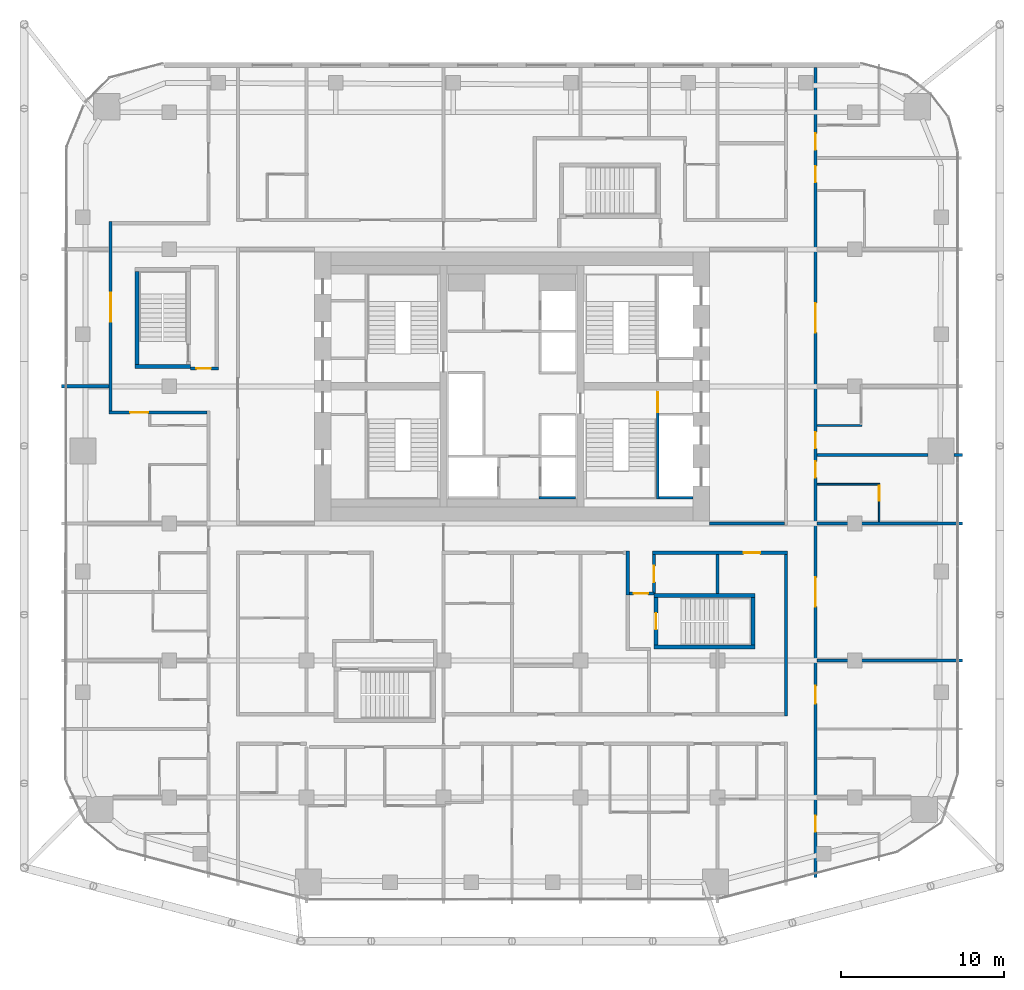
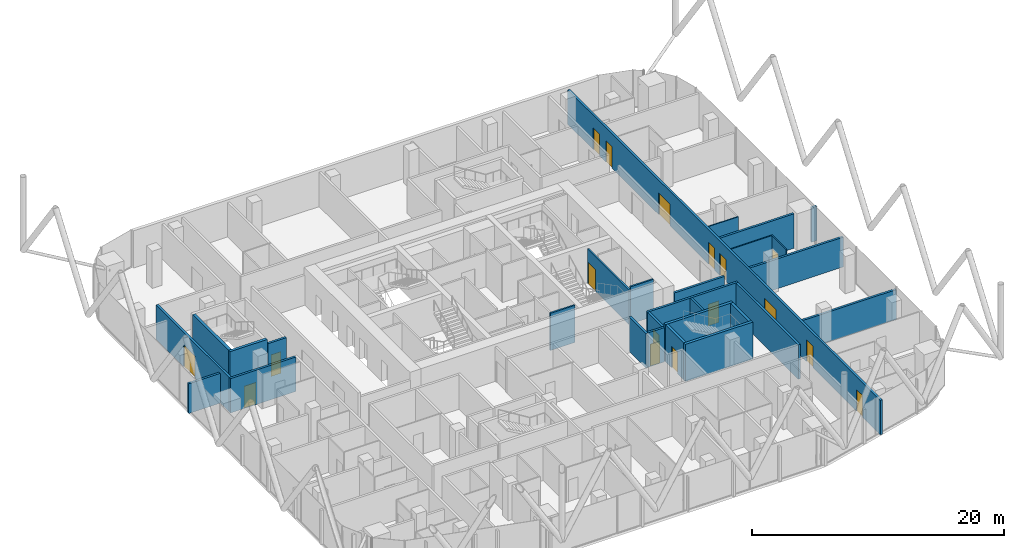
# One storey, part 27 of 33: 28 walls, 17 doors, 17 openings.
"""IFC4 building model written with IfcOpenShell, lengths in metres."""

from ifc_helpers import new_model, si_unit, direction, frame, frame_2d, origin, place, context, subcontext, project, spatial, rectangle, extrude, material, layer, layer_set, type_object, element, fill, save


model = new_model("IFC4")

# Units and contexts
model_context = context("Model", 3, precision=1e-05, world=origin(), true_north=direction((0.0, 1.0)))
body_context = subcontext(model_context, "Body", "Model", "MODEL_VIEW")
ifc_project = project(units=[si_unit("LENGTHUNIT", "METRE"), si_unit("AREAUNIT", "SQUARE_METRE"), si_unit("VOLUMEUNIT", "CUBIC_METRE"), si_unit("PLANEANGLEUNIT", "RADIAN"), si_unit("MASSUNIT", "GRAM", prefix="KILO")], contexts=[model_context])

# Site, building, storey
site_placement = place(None, origin())
site = spatial("IfcSite", under=ifc_project, at=site_placement, CompositionType="ELEMENT")
building_placement = place(site_placement, origin())
building = spatial("IfcBuilding", under=site, at=building_placement, Name="Marenta Gate Hotel Tower", CompositionType="ELEMENT")
storey_placement = place(building_placement, frame((0.0, 0.0, 151.699951171875)))
storey = spatial("IfcBuildingStorey", under=building, at=storey_placement, Name="L35", CompositionType="ELEMENT", Elevation=151.699951171875)

# Walls
ifc_material_1 = material(Name="Concrete blockwork", Category="masonry")
ifc_layer_1 = layer(ifc_material_1, 0.199951171875)
ifc_layer_set_1 = layer_set([ifc_layer_1], Name="Concrete blockwork")
wall_type_1 = type_object("IfcWallType", Name="Core boundary wall 200 REI 180", PredefinedType="PARTITIONING", material=ifc_layer_set_1)
wall_1_placement = place(storey_placement, frame((12.10009765625, 0.0, 0.0), z_axis=(0.0, 0.0, 1.0), x_axis=(1.0, 0.0, 0.0)))
element("IfcWall", 1, at=wall_1_placement, inside=storey, type_object=wall_type_1, Name="L35-CP-EW-ES", PredefinedType="PARTITIONING", context=body_context, shape_type="SweptSolid", body=[
    extrude(rectangle(XDim=4.599853515625, YDim=0.199951171875, at=frame_2d((2.2998046875, 0.0))), origin(), (0.0, 0.0, 1.0), 2.89013671875),
])
ifc_material_2 = material(Name="Concrete C40", Category="concrete")
ifc_layer_2 = layer(ifc_material_2, 0.14990234375)
ifc_layer_set_2 = layer_set([ifc_layer_2], Name="Concrete C40")
wall_type_2 = type_object("IfcWallType", Name="Core shaft wall 150 REI 180", PredefinedType="SHEAR", material=ifc_layer_set_2)
wall_2_placement = place(storey_placement, frame((9.0, 1.574951171875, 0.0), z_axis=(0.0, 0.0, 1.0), x_axis=(1.0, 0.0, 0.0)))
element("IfcWall", 2, at=wall_2_placement, inside=storey, type_object=wall_type_2, Name="L35-SHF-SW-ES-5", PredefinedType="SHEAR", context=body_context, shape_type="SweptSolid", body=[
    extrude(rectangle(XDim=2.10009765625, YDim=0.14990234375, at=frame_2d((1.050048828125, 0.0))), origin(), (0.0, 0.0, 1.0), 3.60009765625),
])
wall_3_placement = place(storey_placement, frame((1.64990234375, 1.574951171875, 0.0), z_axis=(0.0, 0.0, 1.0), x_axis=(1.0, 0.0, 0.0)))
element("IfcWall", 3, at=wall_3_placement, inside=storey, type_object=wall_type_2, Name="L35-SHF-CE-S-bot", PredefinedType="SHEAR", context=body_context, shape_type="SweptSolid", body=[
    extrude(rectangle(XDim=2.25, YDim=0.14990234375, at=frame_2d((1.125, 0.0))), origin(), (0.0, 0.0, 1.0), 3.60009765625),
])

# Wall, opening, door
ifc_material_3 = material(Name="Concrete C40", Category="concrete")
ifc_layer_3 = layer(ifc_material_3, 0.14990234375)
ifc_layer_set_3 = layer_set([ifc_layer_3], Name="Concrete C40")
wall_type_3 = type_object("IfcWallType", Name="Core stair enclosure wall 150 REI 180", PredefinedType="SHEAR", material=ifc_layer_set_3)
wall_4_placement = place(storey_placement, frame((8.925048828125, 1.5, 0.0), z_axis=(0.0, 0.0, 1.0), x_axis=(0.0, 1.0, 0.0)))
wall_4 = element("IfcWall", 4, at=wall_4_placement, inside=storey, type_object=wall_type_3, Name="L35-SHF-SW-ES-3", PredefinedType="SHEAR", context=body_context, shape_type="SweptSolid", body=[
    extrude(rectangle(XDim=6.60009765625, YDim=0.14990234375, at=frame_2d((3.300048828125, 0.0))), origin(), (0.0, 0.0, 1.0), 3.340087890625),
])
opening_1_placement = place(wall_4_placement, frame((5.324951171875, 0.0, 0.0)))
opening_1 = element("IfcOpeningElement", 5, at=opening_1_placement, cuts=wall_4, Name="Opening SD-ES", PredefinedType="OPENING", context=body_context, shape_type="SweptSolid", body=[
    extrude(rectangle(XDim=1.199951171875, YDim=2.10009765625, at=frame_2d((0.60009765625, 1.050048828125))), frame((0.0, 0.074951171875, 0.0), z_axis=(0.0, -1.0, 0.0), x_axis=(1.0, 0.0, 0.0)), (0.0, 0.0, 1.0), 0.14990234375),
])
ifc_material_4 = material(Name="Steel", Category="steel")
door_type_1 = type_object("IfcDoorType", Name="Core stair door 1200x2100 FD60", OperationType="SINGLE_SWING_LEFT", PredefinedType="DOOR", material=ifc_material_4)
door_1_placement = place(opening_1_placement, origin())
door_1 = element("IfcDoor", 6, at=door_1_placement, inside=storey, type_object=door_type_1, Name="SD-ES", OperationType="SINGLE_SWING_LEFT", OverallHeight=2.10009765625, OverallWidth=1.199951171875, PredefinedType="DOOR", context=body_context, shape_type="SweptSolid", body=[
    extrude(rectangle(XDim=1.199951171875, YDim=2.10009765625, at=frame_2d((0.60009765625, 1.050048828125))), frame((0.0, 0.02490234375, 0.0), z_axis=(0.0, -1.0, 0.0), x_axis=(1.0, 0.0, 0.0)), (0.0, 0.0, 1.0), 0.050048828125),
])
fill(opening_1, door_1)

# Walls
ifc_material_5 = material(Name="Concrete C40", Category="concrete")
ifc_layer_4 = layer(ifc_material_5, 0.25)
ifc_layer_set_4 = layer_set([ifc_layer_4], Name="Concrete C40")
wall_type_4 = type_object("IfcWallType", Name="Remote stair enclosure wall 250 REI 180", PredefinedType="SHEAR", material=ifc_layer_set_4)
wall_5_placement = place(storey_placement, frame((-23.10009765625, 9.625, 0.10009765625), z_axis=(0.0, 0.0, 1.0), x_axis=(1.0, 0.0, 0.0)))
element("IfcWall", 7, at=wall_5_placement, inside=storey, type_object=wall_type_4, Name="L35-RS-Z1-3-W1", PredefinedType="SHEAR", context=body_context, shape_type="SweptSolid", body=[
    extrude(rectangle(XDim=3.400146484375, YDim=0.25, at=frame_2d((1.7001953125, 0.0))), origin(), (0.0, 0.0, 1.0), 3.599853515625),
])
wall_6_placement = place(storey_placement, frame((-22.97509765625, 9.75, 0.10009765625), z_axis=(0.0, 0.0, 1.0), x_axis=(0.0, 1.0, 0.0)))
element("IfcWall", 8, at=wall_6_placement, inside=storey, type_object=wall_type_4, Name="L35-RS-Z1-3-W3", PredefinedType="SHEAR", context=body_context, shape_type="SweptSolid", body=[
    extrude(rectangle(XDim=5.699951171875, YDim=0.25, at=frame_2d((2.85009765625, 0.0))), origin(), (0.0, 0.0, 1.0), 3.599853515625),
])
for number, where, z_axis, x_axis, name in (
    (9, (8.699951171875, -7.574951171875, 0.10009765625), (0.0, 0.0, 1.0), (1.0, 0.0, 0.0), "L35-RS-Z2-2-W1"),
    (10, (8.699951171875, -4.425048828125, 0.10009765625), (0.0, 0.0, 1.0), (1.0, 0.0, 0.0), "L35-RS-Z2-2-W2"),
):
    element("IfcWall", number, at=place(storey_placement, frame(where, z_axis=z_axis, x_axis=x_axis)), inside=storey, type_object=wall_type_4, Name=name, PredefinedType="SHEAR", context=body_context, shape_type="SweptSolid", body=[
        extrude(rectangle(XDim=6.199951171875, YDim=0.25, at=frame_2d((3.10009765625, 0.0))), origin(), (0.0, 0.0, 1.0), 3.599853515625),
    ])

# Wall, opening, door
wall_7_placement = place(storey_placement, frame((8.824951171875, -7.449951171875, 0.10009765625), z_axis=(0.0, 0.0, 1.0), x_axis=(0.0, 1.0, 0.0)))
wall_7 = element("IfcWall", 11, at=wall_7_placement, inside=storey, type_object=wall_type_4, Name="L35-RS-Z2-2-W3", PredefinedType="SHEAR", context=body_context, shape_type="SweptSolid", body=[
    extrude(rectangle(XDim=2.89990234375, YDim=0.25, at=frame_2d((1.449951171875, 0.0))), origin(), (0.0, 0.0, 1.0), 3.599853515625),
])
opening_2_placement = place(wall_7_placement, frame((0.949951171875, 0.0, 0.0)))
opening_2 = element("IfcOpeningElement", 12, at=opening_2_placement, cuts=wall_7, Name="Opening VD", PredefinedType="OPENING", context=body_context, shape_type="SweptSolid", body=[
    extrude(rectangle(XDim=1.0, YDim=2.10009765625, at=frame_2d((0.5, 1.050048828125))), frame((0.0, 0.125, 0.0), z_axis=(0.0, -1.0, 0.0), x_axis=(1.0, 0.0, 0.0)), (0.0, 0.0, 1.0), 0.25),
])
ifc_material_6 = material(Name="Steel", Category="steel")
door_type_2 = type_object("IfcDoorType", Name="Stair vestibule door 1000x2100 FD60", OperationType="SINGLE_SWING_LEFT", PredefinedType="DOOR", material=ifc_material_6)
door_2_placement = place(opening_2_placement, origin())
door_2 = element("IfcDoor", 13, at=door_2_placement, inside=storey, type_object=door_type_2, Name="VD", OperationType="SINGLE_SWING_LEFT", OverallHeight=2.10009765625, OverallWidth=1.0, PredefinedType="DOOR", context=body_context, shape_type="SweptSolid", body=[
    extrude(rectangle(XDim=1.0, YDim=2.10009765625, at=frame_2d((0.5, 1.050048828125))), frame((0.0, 0.02490234375, 0.0), z_axis=(0.0, -1.0, 0.0), x_axis=(1.0, 0.0, 0.0)), (0.0, 0.0, 1.0), 0.050048828125),
])
fill(opening_2, door_2)

# Wall
wall_8_placement = place(storey_placement, frame((14.77490234375, -7.449951171875, 0.10009765625), z_axis=(0.0, 0.0, 1.0), x_axis=(0.0, 1.0, 0.0)))
element("IfcWall", 14, at=wall_8_placement, inside=storey, type_object=wall_type_4, Name="L35-RS-Z2-2-W4", PredefinedType="SHEAR", context=body_context, shape_type="SweptSolid", body=[
    extrude(rectangle(XDim=2.89990234375, YDim=0.25, at=frame_2d((1.449951171875, 0.0))), origin(), (0.0, 0.0, 1.0), 3.599853515625),
])

# Wall, openings, doors
ifc_material_7 = material(Name="Gypsum board on steel stud", Category="steel")
ifc_layer_5 = layer(ifc_material_7, 0.199951171875)
ifc_layer_set_5 = layer_set([ifc_layer_5], Name="Gypsum board on steel stud")
wall_type_5 = type_object("IfcWallType", Name="Room corridor wall 200 EI 60", PredefinedType="PARTITIONING", material=ifc_layer_set_5)
wall_9_placement = place(storey_placement, frame((18.60009765625, -21.7080078125, 0.0), z_axis=(0.0, 0.0, 1.0), x_axis=(0.0, 1.0, 0.0)))
wall_9 = element("IfcWall", 15, at=wall_9_placement, inside=storey, type_object=wall_type_5, Name="L35-PTN-W009", PredefinedType="PARTITIONING", context=body_context, shape_type="SweptSolid", body=[
    extrude(rectangle(XDim=49.64794921875, YDim=0.199951171875, at=frame_2d((24.823974609375, 0.0))), origin(), (0.0, 0.0, 1.0), 3.340087890625),
])
opening_3_placement = place(wall_9_placement, frame((2.800048828125, 0.0, 0.0)))
opening_3 = element("IfcOpeningElement", 16, at=opening_3_placement, cuts=wall_9, Name="Opening G13-08", PredefinedType="OPENING", context=body_context, shape_type="SweptSolid", body=[
    extrude(rectangle(XDim=1.0, YDim=2.10009765625, at=frame_2d((0.5, 1.050048828125))), frame((0.0, 0.10009765625, 0.0), z_axis=(0.0, -1.0, 0.0), x_axis=(1.0, 0.0, 0.0)), (0.0, 0.0, 1.0), 0.199951171875),
])
opening_4_placement = place(wall_9_placement, frame((10.657958984375, 0.0, 0.0)))
opening_4 = element("IfcOpeningElement", 17, at=opening_4_placement, cuts=wall_9, Name="Opening G13-10", PredefinedType="OPENING", context=body_context, shape_type="SweptSolid", body=[
    extrude(rectangle(XDim=1.10009765625, YDim=2.10009765625, at=frame_2d((0.550048828125, 1.050048828125))), frame((0.0, 0.10009765625, 0.0), z_axis=(0.0, -1.0, 0.0), x_axis=(1.0, 0.0, 0.0)), (0.0, 0.0, 1.0), 0.199951171875),
])
opening_5_placement = place(wall_9_placement, frame((16.60791015625, 0.0, 0.0)))
opening_5 = element("IfcOpeningElement", 18, at=opening_5_placement, cuts=wall_9, Name="Opening G13-13", PredefinedType="OPENING", context=body_context, shape_type="SweptSolid", body=[
    extrude(rectangle(XDim=1.800048828125, YDim=2.10009765625, at=frame_2d((0.89990234375, 1.050048828125))), frame((0.0, 0.10009765625, 0.0), z_axis=(0.0, -1.0, 0.0), x_axis=(1.0, 0.0, 0.0)), (0.0, 0.0, 1.0), 0.199951171875),
])
opening_6_placement = place(wall_9_placement, frame((24.508056640625, 0.0, 0.0)))
opening_6 = element("IfcOpeningElement", 19, at=opening_6_placement, cuts=wall_9, Name="Opening G13-14", PredefinedType="OPENING", context=body_context, shape_type="SweptSolid", body=[
    extrude(rectangle(XDim=1.0, YDim=2.10009765625, at=frame_2d((0.5, 1.050048828125))), frame((0.0, 0.10009765625, 0.0), z_axis=(0.0, -1.0, 0.0), x_axis=(1.0, 0.0, 0.0)), (0.0, 0.0, 1.0), 0.199951171875),
])
opening_7_placement = place(wall_9_placement, frame((26.30810546875, 0.0, 0.0)))
opening_7 = element("IfcOpeningElement", 20, at=opening_7_placement, cuts=wall_9, Name="Opening G13-16", PredefinedType="OPENING", context=body_context, shape_type="SweptSolid", body=[
    extrude(rectangle(XDim=1.0, YDim=2.10009765625, at=frame_2d((0.5, 1.050048828125))), frame((0.0, 0.10009765625, 0.0), z_axis=(0.0, -1.0, 0.0), x_axis=(1.0, 0.0, 0.0)), (0.0, 0.0, 1.0), 0.199951171875),
])
opening_8_placement = place(wall_9_placement, frame((33.407958984375, 0.0, 0.0)))
opening_8 = element("IfcOpeningElement", 21, at=opening_8_placement, cuts=wall_9, Name="Opening G13-18", PredefinedType="OPENING", context=body_context, shape_type="SweptSolid", body=[
    extrude(rectangle(XDim=1.800048828125, YDim=2.10009765625, at=frame_2d((0.89990234375, 1.050048828125))), frame((0.0, 0.10009765625, 0.0), z_axis=(0.0, -1.0, 0.0), x_axis=(1.0, 0.0, 0.0)), (0.0, 0.0, 1.0), 0.199951171875),
])
opening_9_placement = place(wall_9_placement, frame((42.60791015625, 0.0, 0.0)))
opening_9 = element("IfcOpeningElement", 22, at=opening_9_placement, cuts=wall_9, Name="Opening G13-19", PredefinedType="OPENING", context=body_context, shape_type="SweptSolid", body=[
    extrude(rectangle(XDim=1.0, YDim=2.10009765625, at=frame_2d((0.5, 1.050048828125))), frame((0.0, 0.10009765625, 0.0), z_axis=(0.0, -1.0, 0.0), x_axis=(1.0, 0.0, 0.0)), (0.0, 0.0, 1.0), 0.199951171875),
])
opening_10_placement = place(wall_9_placement, frame((44.60791015625, 0.0, 0.0)))
opening_10 = element("IfcOpeningElement", 23, at=opening_10_placement, cuts=wall_9, Name="Opening G13-21", PredefinedType="OPENING", context=body_context, shape_type="SweptSolid", body=[
    extrude(rectangle(XDim=1.0, YDim=2.10009765625, at=frame_2d((0.5, 1.050048828125))), frame((0.0, 0.10009765625, 0.0), z_axis=(0.0, -1.0, 0.0), x_axis=(1.0, 0.0, 0.0)), (0.0, 0.0, 1.0), 0.199951171875),
])
ifc_material_8 = material(Name="Timber door leaf", Category="wood")
door_type_3 = type_object("IfcDoorType", Name="Guest room door 1000x2100 EI 30", OperationType="NOTDEFINED", PredefinedType="DOOR", material=ifc_material_8)
door_3_placement = place(opening_3_placement, origin())
door_3 = element("IfcDoor", 24, at=door_3_placement, inside=storey, type_object=door_type_3, Name="L35-PD-D008", OperationType="SINGLE_SWING_RIGHT", OverallHeight=2.10009765625, OverallWidth=1.0, PredefinedType="DOOR", context=body_context, shape_type="SweptSolid", body=[
    extrude(rectangle(XDim=1.0, YDim=2.10009765625, at=frame_2d((0.5, 1.050048828125))), frame((0.0, 0.02490234375, 0.0), z_axis=(0.0, -1.0, 0.0), x_axis=(1.0, 0.0, 0.0)), (0.0, 0.0, 1.0), 0.050048828125),
])
fill(opening_3, door_3)
door_4_placement = place(opening_6_placement, origin())
door_4 = element("IfcDoor", 25, at=door_4_placement, inside=storey, type_object=door_type_3, Name="L35-PD-D014", OperationType="SINGLE_SWING_RIGHT", OverallHeight=2.10009765625, OverallWidth=1.0, PredefinedType="DOOR", context=body_context, shape_type="SweptSolid", body=[
    extrude(rectangle(XDim=1.0, YDim=2.10009765625, at=frame_2d((0.5, 1.050048828125))), frame((0.0, 0.02490234375, 0.0), z_axis=(0.0, -1.0, 0.0), x_axis=(1.0, 0.0, 0.0)), (0.0, 0.0, 1.0), 0.050048828125),
])
fill(opening_6, door_4)
door_5_placement = place(opening_7_placement, origin())
door_5 = element("IfcDoor", 26, at=door_5_placement, inside=storey, type_object=door_type_3, Name="L35-PD-D016", OperationType="SINGLE_SWING_RIGHT", OverallHeight=2.10009765625, OverallWidth=1.0, PredefinedType="DOOR", context=body_context, shape_type="SweptSolid", body=[
    extrude(rectangle(XDim=1.0, YDim=2.10009765625, at=frame_2d((0.5, 1.050048828125))), frame((0.0, 0.02490234375, 0.0), z_axis=(0.0, -1.0, 0.0), x_axis=(1.0, 0.0, 0.0)), (0.0, 0.0, 1.0), 0.050048828125),
])
fill(opening_7, door_5)
door_6_placement = place(opening_9_placement, origin())
door_6 = element("IfcDoor", 27, at=door_6_placement, inside=storey, type_object=door_type_3, Name="L35-PD-D019", OperationType="SINGLE_SWING_LEFT", OverallHeight=2.10009765625, OverallWidth=1.0, PredefinedType="DOOR", context=body_context, shape_type="SweptSolid", body=[
    extrude(rectangle(XDim=1.0, YDim=2.10009765625, at=frame_2d((0.5, 1.050048828125))), frame((0.0, 0.02490234375, 0.0), z_axis=(0.0, -1.0, 0.0), x_axis=(1.0, 0.0, 0.0)), (0.0, 0.0, 1.0), 0.050048828125),
])
fill(opening_9, door_6)
door_7_placement = place(opening_10_placement, origin())
door_7 = element("IfcDoor", 28, at=door_7_placement, inside=storey, type_object=door_type_3, Name="L35-PD-D021", OperationType="SINGLE_SWING_LEFT", OverallHeight=2.10009765625, OverallWidth=1.0, PredefinedType="DOOR", context=body_context, shape_type="SweptSolid", body=[
    extrude(rectangle(XDim=1.0, YDim=2.10009765625, at=frame_2d((0.5, 1.050048828125))), frame((0.0, 0.02490234375, 0.0), z_axis=(0.0, -1.0, 0.0), x_axis=(1.0, 0.0, 0.0)), (0.0, 0.0, 1.0), 0.050048828125),
])
fill(opening_10, door_7)
ifc_material_9 = material(Name="Timber door leaf", Category="wood")
door_type_4 = type_object("IfcDoorType", Name="Guest room door 1100x2100 EI 30", OperationType="NOTDEFINED", PredefinedType="DOOR", material=ifc_material_9)
door_8_placement = place(opening_4_placement, origin())
door_8 = element("IfcDoor", 29, at=door_8_placement, inside=storey, type_object=door_type_4, Name="L35-PD-D010", OperationType="SINGLE_SWING_RIGHT", OverallHeight=2.10009765625, OverallWidth=1.10009765625, PredefinedType="DOOR", context=body_context, shape_type="SweptSolid", body=[
    extrude(rectangle(XDim=1.10009765625, YDim=2.10009765625, at=frame_2d((0.550048828125, 1.050048828125))), frame((0.0, 0.02490234375, 0.0), z_axis=(0.0, -1.0, 0.0), x_axis=(1.0, 0.0, 0.0)), (0.0, 0.0, 1.0), 0.050048828125),
])
fill(opening_4, door_8)
ifc_material_10 = material(Name="Timber door leaf", Category="wood")
door_type_5 = type_object("IfcDoorType", Name="Room amenity door 1800x2100 EI 30", OperationType="DOUBLE_DOOR_SINGLE_SWING", PredefinedType="DOOR", material=ifc_material_10)
door_9_placement = place(opening_5_placement, origin())
door_9 = element("IfcDoor", 30, at=door_9_placement, inside=storey, type_object=door_type_5, Name="L35-PD-D013", OperationType="DOUBLE_DOOR_SINGLE_SWING", OverallHeight=2.10009765625, OverallWidth=1.800048828125, PredefinedType="DOOR", context=body_context, shape_type="SweptSolid", body=[
    extrude(rectangle(XDim=1.800048828125, YDim=2.10009765625, at=frame_2d((0.89990234375, 1.050048828125))), frame((0.0, 0.02490234375, 0.0), z_axis=(0.0, -1.0, 0.0), x_axis=(1.0, 0.0, 0.0)), (0.0, 0.0, 1.0), 0.050048828125),
])
fill(opening_5, door_9)
door_10_placement = place(opening_8_placement, origin())
door_10 = element("IfcDoor", 31, at=door_10_placement, inside=storey, type_object=door_type_5, Name="L35-PD-D018", OperationType="DOUBLE_DOOR_SINGLE_SWING", OverallHeight=2.10009765625, OverallWidth=1.800048828125, PredefinedType="DOOR", context=body_context, shape_type="SweptSolid", body=[
    extrude(rectangle(XDim=1.800048828125, YDim=2.10009765625, at=frame_2d((0.89990234375, 1.050048828125))), frame((0.0, 0.02490234375, 0.0), z_axis=(0.0, -1.0, 0.0), x_axis=(1.0, 0.0, 0.0)), (0.0, 0.0, 1.0), 0.050048828125),
])
fill(opening_8, door_10)

# Wall
wall_10_placement = place(storey_placement, frame((16.800048828125, -11.800048828125, 0.0), z_axis=(0.0, 0.0, 1.0), x_axis=(0.0, 1.0, 0.0)))
element("IfcWall", 32, at=wall_10_placement, inside=storey, type_object=wall_type_5, Name="L35-PTN-W016", PredefinedType="PARTITIONING", context=body_context, shape_type="SweptSolid", body=[
    extrude(rectangle(XDim=9.900146484375, YDim=0.199951171875, at=frame_2d((4.9501953125, 0.0))), origin(), (0.0, 0.0, 1.0), 3.340087890625),
])

# Wall, opening, door
wall_11_placement = place(storey_placement, frame((8.699951171875, -4.300048828125, 0.0), z_axis=(0.0, 0.0, 1.0), x_axis=(0.0, 1.0, 0.0)))
wall_11 = element("IfcWall", 33, at=wall_11_placement, inside=storey, type_object=wall_type_5, Name="L35-PTN-W040", PredefinedType="PARTITIONING", context=body_context, shape_type="SweptSolid", body=[
    extrude(rectangle(XDim=2.400146484375, YDim=0.199951171875, at=frame_2d((1.2001953125, 0.0))), origin(), (0.0, 0.0, 1.0), 3.340087890625),
])
opening_11_placement = place(wall_11_placement, frame((0.699951171875, 0.0, 0.0)))
opening_11 = element("IfcOpeningElement", 34, at=opening_11_placement, cuts=wall_11, Name="Opening G13-64", PredefinedType="OPENING", context=body_context, shape_type="SweptSolid", body=[
    extrude(rectangle(XDim=1.0, YDim=2.10009765625, at=frame_2d((0.5, 1.050048828125))), frame((0.0, 0.10009765625, 0.0), z_axis=(0.0, -1.0, 0.0), x_axis=(1.0, 0.0, 0.0)), (0.0, 0.0, 1.0), 0.199951171875),
])
ifc_material_11 = material(Name="Timber door leaf", Category="wood")
door_type_6 = type_object("IfcDoorType", Name="Room amenity door 1000x2100 EI 30", OperationType="NOTDEFINED", PredefinedType="DOOR", material=ifc_material_11)
door_11_placement = place(opening_11_placement, origin())
door_11 = element("IfcDoor", 35, at=door_11_placement, inside=storey, type_object=door_type_6, Name="L35-PD-D064", OperationType="SINGLE_SWING_LEFT", OverallHeight=2.10009765625, OverallWidth=1.0, PredefinedType="DOOR", context=body_context, shape_type="SweptSolid", body=[
    extrude(rectangle(XDim=1.0, YDim=2.10009765625, at=frame_2d((0.5, 1.050048828125))), frame((0.0, 0.02490234375, 0.0), z_axis=(0.0, -1.0, 0.0), x_axis=(1.0, 0.0, 0.0)), (0.0, 0.0, 1.0), 0.050048828125),
])
fill(opening_11, door_11)

# Wall
wall_12_placement = place(storey_placement, frame((7.10009765625, -4.39990234375, 0.0), z_axis=(0.0, 0.0, 1.0), x_axis=(0.0, 1.0, 0.0)))
element("IfcWall", 36, at=wall_12_placement, inside=storey, type_object=wall_type_5, Name="L35-PTN-W050", PredefinedType="PARTITIONING", context=body_context, shape_type="SweptSolid", body=[
    extrude(rectangle(XDim=2.699951171875, YDim=0.199951171875, at=frame_2d((1.35009765625, 0.0))), origin(), (0.0, 0.0, 1.0), 3.340087890625),
])

# Wall, opening, door
wall_13_placement = place(storey_placement, frame((8.60009765625, -1.800048828125, 0.0), z_axis=(0.0, 0.0, 1.0), x_axis=(1.0, 0.0, 0.0)))
wall_13 = element("IfcWall", 37, at=wall_13_placement, inside=storey, type_object=wall_type_5, Name="L35-PTN-W064", PredefinedType="PARTITIONING", context=body_context, shape_type="SweptSolid", body=[
    extrude(rectangle(XDim=8.2998046875, YDim=0.199951171875, at=frame_2d((4.14990234375, 0.0))), origin(), (0.0, 0.0, 1.0), 3.340087890625),
])
opening_12_placement = place(wall_13_placement, frame((5.60009765625, 0.0, 0.0)))
opening_12 = element("IfcOpeningElement", 38, at=opening_12_placement, cuts=wall_13, Name="Opening G13-07", PredefinedType="OPENING", context=body_context, shape_type="SweptSolid", body=[
    extrude(rectangle(XDim=1.0, YDim=2.10009765625, at=frame_2d((0.5, 1.050048828125))), frame((0.0, 0.10009765625, 0.0), z_axis=(0.0, -1.0, 0.0), x_axis=(1.0, 0.0, 0.0)), (0.0, 0.0, 1.0), 0.199951171875),
])
door_12_placement = place(opening_12_placement, origin())
door_12 = element("IfcDoor", 39, at=door_12_placement, inside=storey, type_object=door_type_6, Name="L35-PD-D007", OperationType="SINGLE_SWING_LEFT", OverallHeight=2.10009765625, OverallWidth=1.0, PredefinedType="DOOR", context=body_context, shape_type="SweptSolid", body=[
    extrude(rectangle(XDim=1.0, YDim=2.10009765625, at=frame_2d((0.5, 1.050048828125))), frame((0.0, 0.02490234375, 0.0), z_axis=(0.0, -1.0, 0.0), x_axis=(1.0, 0.0, 0.0)), (0.0, 0.0, 1.0), 0.050048828125),
])
fill(opening_12, door_12)

wall_14_placement = place(storey_placement, frame((-24.699951171875, 6.800048828125, 0.0), z_axis=(0.0, 0.0, 1.0), x_axis=(1.0, 0.0, 0.0)))
wall_14 = element("IfcWall", 40, at=wall_14_placement, inside=storey, type_object=wall_type_5, Name="L35-PTN-W080", PredefinedType="PARTITIONING", context=body_context, shape_type="SweptSolid", body=[
    extrude(rectangle(XDim=6.0, YDim=0.199951171875, at=frame_2d((3.0, 0.0))), origin(), (0.0, 0.0, 1.0), 3.340087890625),
])
opening_13_placement = place(wall_14_placement, frame((1.300048828125, 0.0, 0.0)))
opening_13 = element("IfcOpeningElement", 41, at=opening_13_placement, cuts=wall_14, Name="Opening G13-53", PredefinedType="OPENING", context=body_context, shape_type="SweptSolid", body=[
    extrude(rectangle(XDim=1.10009765625, YDim=2.10009765625, at=frame_2d((0.550048828125, 1.050048828125))), frame((0.0, 0.10009765625, 0.0), z_axis=(0.0, -1.0, 0.0), x_axis=(1.0, 0.0, 0.0)), (0.0, 0.0, 1.0), 0.199951171875),
])
door_13_placement = place(opening_13_placement, origin())
door_13 = element("IfcDoor", 42, at=door_13_placement, inside=storey, type_object=door_type_4, Name="L35-PD-D053", OperationType="SINGLE_SWING_LEFT", OverallHeight=2.10009765625, OverallWidth=1.10009765625, PredefinedType="DOOR", context=body_context, shape_type="SweptSolid", body=[
    extrude(rectangle(XDim=1.10009765625, YDim=2.10009765625, at=frame_2d((0.550048828125, 1.050048828125))), frame((0.0, 0.02490234375, 0.0), z_axis=(0.0, -1.0, 0.0), x_axis=(1.0, 0.0, 0.0)), (0.0, 0.0, 1.0), 0.050048828125),
])
fill(opening_13, door_13)

wall_15_placement = place(storey_placement, frame((-24.60009765625, 6.89990234375, 0.0), z_axis=(0.0, 0.0, 1.0), x_axis=(0.0, 1.0, 0.0)))
wall_15 = element("IfcWall", 43, at=wall_15_placement, inside=storey, type_object=wall_type_5, Name="L35-PTN-W119", PredefinedType="PARTITIONING", context=body_context, shape_type="SweptSolid", body=[
    extrude(rectangle(XDim=11.60009765625, YDim=0.199951171875, at=frame_2d((5.800048828125, 0.0))), origin(), (0.0, 0.0, 1.0), 3.340087890625),
])
opening_14_placement = place(wall_15_placement, frame((5.449951171875, 0.0, 0.0)))
opening_14 = element("IfcOpeningElement", 44, at=opening_14_placement, cuts=wall_15, Name="Opening G13-56", PredefinedType="OPENING", context=body_context, shape_type="SweptSolid", body=[
    extrude(rectangle(XDim=1.800048828125, YDim=2.10009765625, at=frame_2d((0.89990234375, 1.050048828125))), frame((0.0, 0.10009765625, 0.0), z_axis=(0.0, -1.0, 0.0), x_axis=(1.0, 0.0, 0.0)), (0.0, 0.0, 1.0), 0.199951171875),
])
door_14_placement = place(opening_14_placement, origin())
door_14 = element("IfcDoor", 45, at=door_14_placement, inside=storey, type_object=door_type_5, Name="L35-PD-D056", OperationType="DOUBLE_DOOR_SINGLE_SWING", OverallHeight=2.10009765625, OverallWidth=1.800048828125, PredefinedType="DOOR", context=body_context, shape_type="SweptSolid", body=[
    extrude(rectangle(XDim=1.800048828125, YDim=2.10009765625, at=frame_2d((0.89990234375, 1.050048828125))), frame((0.0, 0.02490234375, 0.0), z_axis=(0.0, -1.0, 0.0), x_axis=(1.0, 0.0, 0.0)), (0.0, 0.0, 1.0), 0.050048828125),
])
fill(opening_14, door_14)

ifc_material_12 = material(Name="Concrete blockwork", Category="masonry")
ifc_layer_6 = layer(ifc_material_12, 0.199951171875)
ifc_layer_set_6 = layer_set([ifc_layer_6], Name="Concrete blockwork")
wall_type_6 = type_object("IfcWallType", Name="Room corridor wall 200 REI 180", PredefinedType="PARTITIONING", material=ifc_layer_set_6)
wall_16_placement = place(storey_placement, frame((7.199951171875, -4.300048828125, 0.0), z_axis=(0.0, 0.0, 1.0), x_axis=(1.0, 0.0, 0.0)))
wall_16 = element("IfcWall", 46, at=wall_16_placement, inside=storey, type_object=wall_type_6, Name="L35-PTN-W055", PredefinedType="PARTITIONING", context=body_context, shape_type="SweptSolid", body=[
    extrude(rectangle(XDim=1.5, YDim=0.199951171875, at=frame_2d((0.75, 0.0))), origin(), (0.0, 0.0, 1.0), 3.340087890625),
])
opening_15_placement = place(wall_16_placement, frame((0.25, 0.0, 0.0)))
opening_15 = element("IfcOpeningElement", 47, at=opening_15_placement, cuts=wall_16, Name="Opening G13-60", PredefinedType="OPENING", context=body_context, shape_type="SweptSolid", body=[
    extrude(rectangle(XDim=0.89990234375, YDim=2.10009765625, at=frame_2d((0.449951171875, 1.050048828125))), frame((0.0, 0.10009765625, 0.0), z_axis=(0.0, -1.0, 0.0), x_axis=(1.0, 0.0, 0.0)), (0.0, 0.0, 1.0), 0.199951171875),
])
ifc_material_13 = material(Name="Hollow steel door set", Category="steel")
door_type_7 = type_object("IfcDoorType", Name="Stair vestibule door 900x2100 EI 60", OperationType="NOTDEFINED", PredefinedType="DOOR", material=ifc_material_13)
door_15_placement = place(opening_15_placement, origin())
door_15 = element("IfcDoor", 48, at=door_15_placement, inside=storey, type_object=door_type_7, Name="L35-PD-D060", OperationType="SINGLE_SWING_RIGHT", OverallHeight=2.10009765625, OverallWidth=0.89990234375, PredefinedType="DOOR", context=body_context, shape_type="SweptSolid", body=[
    extrude(rectangle(XDim=0.89990234375, YDim=2.10009765625, at=frame_2d((0.449951171875, 1.050048828125))), frame((0.0, 0.02490234375, 0.0), z_axis=(0.0, -1.0, 0.0), x_axis=(1.0, 0.0, 0.0)), (0.0, 0.0, 1.0), 0.050048828125),
])
fill(opening_15, door_15)

wall_17_placement = place(storey_placement, frame((-19.699951171875, 9.5, 0.0), z_axis=(0.0, 0.0, 1.0), x_axis=(1.0, 0.0, 0.0)))
wall_17 = element("IfcWall", 49, at=wall_17_placement, inside=storey, type_object=wall_type_6, Name="L35-PTN-W085", PredefinedType="PARTITIONING", context=body_context, shape_type="SweptSolid", body=[
    extrude(rectangle(XDim=1.699951171875, YDim=0.199951171875, at=frame_2d((0.85009765625, 0.0))), origin(), (0.0, 0.0, 1.0), 3.340087890625),
])
opening_16_placement = place(wall_17_placement, frame((0.35009765625, 0.0, 0.0)))
opening_16 = element("IfcOpeningElement", 50, at=opening_16_placement, cuts=wall_17, Name="Opening G13-58", PredefinedType="OPENING", context=body_context, shape_type="SweptSolid", body=[
    extrude(rectangle(XDim=0.89990234375, YDim=2.10009765625, at=frame_2d((0.449951171875, 1.050048828125))), frame((0.0, 0.10009765625, 0.0), z_axis=(0.0, -1.0, 0.0), x_axis=(1.0, 0.0, 0.0)), (0.0, 0.0, 1.0), 0.199951171875),
])
door_16_placement = place(opening_16_placement, origin())
door_16 = element("IfcDoor", 51, at=door_16_placement, inside=storey, type_object=door_type_7, Name="L35-PD-D058", OperationType="SINGLE_SWING_RIGHT", OverallHeight=2.10009765625, OverallWidth=0.89990234375, PredefinedType="DOOR", context=body_context, shape_type="SweptSolid", body=[
    extrude(rectangle(XDim=0.89990234375, YDim=2.10009765625, at=frame_2d((0.449951171875, 1.050048828125))), frame((0.0, 0.02490234375, 0.0), z_axis=(0.0, -1.0, 0.0), x_axis=(1.0, 0.0, 0.0)), (0.0, 0.0, 1.0), 0.050048828125),
])
fill(opening_16, door_16)

ifc_material_14 = material(Name="Gypsum board on steel stud", Category="steel")
ifc_layer_7 = layer(ifc_material_14, 0.10009765625)
ifc_layer_set_7 = layer_set([ifc_layer_7], Name="Gypsum board on steel stud")
wall_type_7 = type_object("IfcWallType", Name="Room partition 100", PredefinedType="PARTITIONING", material=ifc_layer_set_7)
wall_18_placement = place(storey_placement, frame((22.5, 0.10009765625, 0.0), z_axis=(0.0, 0.0, 1.0), x_axis=(0.0, 1.0, 0.0)))
wall_18 = element("IfcWall", 52, at=wall_18_placement, inside=storey, type_object=wall_type_7, Name="L35-PTN-W002", PredefinedType="PARTITIONING", context=body_context, shape_type="SweptSolid", body=[
    extrude(rectangle(XDim=2.349853515625, YDim=0.10009765625, at=frame_2d((1.1748046875, 0.0))), origin(), (0.0, 0.0, 1.0), 3.340087890625),
])
opening_17_placement = place(wall_18_placement, frame((1.300048828125, 0.0, 0.0)))
opening_17 = element("IfcOpeningElement", 53, at=opening_17_placement, cuts=wall_18, Name="Opening G13-15", PredefinedType="OPENING", context=body_context, shape_type="SweptSolid", body=[
    extrude(rectangle(XDim=0.89990234375, YDim=2.10009765625, at=frame_2d((0.449951171875, 1.050048828125))), frame((0.0, 0.050048828125, 0.0), z_axis=(0.0, -1.0, 0.0), x_axis=(1.0, 0.0, 0.0)), (0.0, 0.0, 1.0), 0.10009765625),
])
ifc_material_15 = material(Name="Timber door leaf", Category="wood")
door_type_8 = type_object("IfcDoorType", Name="Guest bathroom door 900x2100", OperationType="NOTDEFINED", PredefinedType="DOOR", material=ifc_material_15)
door_17_placement = place(opening_17_placement, origin())
door_17 = element("IfcDoor", 54, at=door_17_placement, inside=storey, type_object=door_type_8, Name="L35-PD-D015", OperationType="SINGLE_SWING_RIGHT", OverallHeight=2.10009765625, OverallWidth=0.89990234375, PredefinedType="DOOR", context=body_context, shape_type="SweptSolid", body=[
    extrude(rectangle(XDim=0.89990234375, YDim=2.10009765625, at=frame_2d((0.449951171875, 1.050048828125))), frame((0.0, 0.02490234375, 0.0), z_axis=(0.0, -1.0, 0.0), x_axis=(1.0, 0.0, 0.0)), (0.0, 0.0, 1.0), 0.050048828125),
])
fill(opening_17, door_17)

# Walls
wall_19_placement = place(storey_placement, frame((18.699951171875, 2.39990234375, 0.0), z_axis=(0.0, 0.0, 1.0), x_axis=(1.0, 0.0, 0.0)))
element("IfcWall", 55, at=wall_19_placement, inside=storey, type_object=wall_type_7, Name="L35-PTN-W071", PredefinedType="PARTITIONING", context=body_context, shape_type="SweptSolid", body=[
    extrude(rectangle(XDim=3.75, YDim=0.10009765625, at=frame_2d((1.875, 0.0))), origin(), (0.0, 0.0, 1.0), 3.340087890625),
])
wall_20_placement = place(storey_placement, frame((18.699951171875, 6.0, 0.0), z_axis=(0.0, 0.0, 1.0), x_axis=(1.0, 0.0, 0.0)))
element("IfcWall", 56, at=wall_20_placement, inside=storey, type_object=wall_type_7, Name="L35-PTN-W079", PredefinedType="PARTITIONING", context=body_context, shape_type="SweptSolid", body=[
    extrude(rectangle(XDim=2.75, YDim=0.10009765625, at=frame_2d((1.375, 0.0))), origin(), (0.0, 0.0, 1.0), 3.340087890625),
])
ifc_material_16 = material(Name="Gypsum board on steel stud", Category="steel")
ifc_layer_8 = layer(ifc_material_16, 0.199951171875)
ifc_layer_set_8 = layer_set([ifc_layer_8], Name="Gypsum board on steel stud")
wall_type_8 = type_object("IfcWallType", Name="Room party wall 200 EI 60", PredefinedType="PARTITIONING", material=ifc_layer_set_8)
wall_21_placement = place(storey_placement, frame((12.60009765625, -4.300048828125, 0.0), z_axis=(0.0, 0.0, 1.0), x_axis=(0.0, 1.0, 0.0)))
element("IfcWall", 57, at=wall_21_placement, inside=storey, type_object=wall_type_8, Name="L35-PTN-W029", PredefinedType="PARTITIONING", context=body_context, shape_type="SweptSolid", body=[
    extrude(rectangle(XDim=2.400146484375, YDim=0.199951171875, at=frame_2d((1.2001953125, 0.0))), origin(), (0.0, 0.0, 1.0), 3.340087890625),
])
for number, where, z_axis, x_axis, name in (
    (58, (18.699951171875, -8.39990234375, 0.0), (0.0, 0.0, 1.0), (1.0, 0.0, 0.0), "L35-PTN-W045"),
    (59, (18.699951171875, 0.0, 0.0), (0.0, 0.0, 1.0), (1.0, 0.0, 0.0), "L35-PTN-W069"),
):
    element("IfcWall", number, at=place(storey_placement, frame(where, z_axis=z_axis, x_axis=x_axis)), inside=storey, type_object=wall_type_8, Name=name, PredefinedType="PARTITIONING", context=body_context, shape_type="SweptSolid", body=[
        extrude(rectangle(XDim=8.900146484375, YDim=0.199951171875, at=frame_2d((4.4501953125, 0.0))), origin(), (0.0, 0.0, 1.0), 2.89013671875),
    ])
wall_22_placement = place(storey_placement, frame((18.699951171875, 4.199951171875, 0.0), z_axis=(0.0, 0.0, 1.0), x_axis=(1.0, 0.0, 0.0)))
element("IfcWall", 60, at=wall_22_placement, inside=storey, type_object=wall_type_8, Name="L35-PTN-W076", PredefinedType="PARTITIONING", context=body_context, shape_type="SweptSolid", body=[
    extrude(rectangle(XDim=6.800048828125, YDim=0.199951171875, at=frame_2d((3.39990234375, 0.0))), origin(), (0.0, 0.0, 1.0), 3.340087890625),
])
wall_23_placement = place(storey_placement, frame((27.10009765625, 4.199951171875, 0.0), z_axis=(0.0, 0.0, 1.0), x_axis=(1.0, 0.0, 0.0)))
element("IfcWall", 61, at=wall_23_placement, inside=storey, type_object=wall_type_8, Name="L35-PTN-W123", PredefinedType="PARTITIONING", context=body_context, shape_type="SweptSolid", body=[
    extrude(rectangle(XDim=0.5, YDim=0.199951171875, at=frame_2d((0.25, 0.0))), origin(), (0.0, 0.0, 1.0), 3.340087890625),
])
wall_24_placement = place(storey_placement, frame((-27.60009765625, 8.39990234375, 0.0), z_axis=(0.0, 0.0, 1.0), x_axis=(1.0, 0.0, 0.0)))
element("IfcWall", 62, at=wall_24_placement, inside=storey, type_object=wall_type_8, Name="L35-PTN-W082", PredefinedType="PARTITIONING", context=body_context, shape_type="SweptSolid", body=[
    extrude(rectangle(XDim=2.900146484375, YDim=0.199951171875, at=frame_2d((1.4501953125, 0.0))), origin(), (0.0, 0.0, 1.0), 2.89013671875),
])

save(model, "model.ifc")
